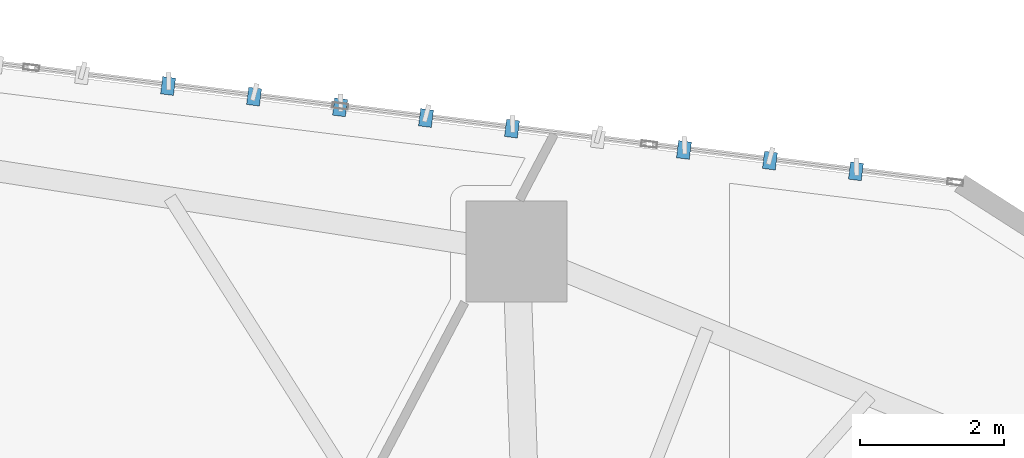
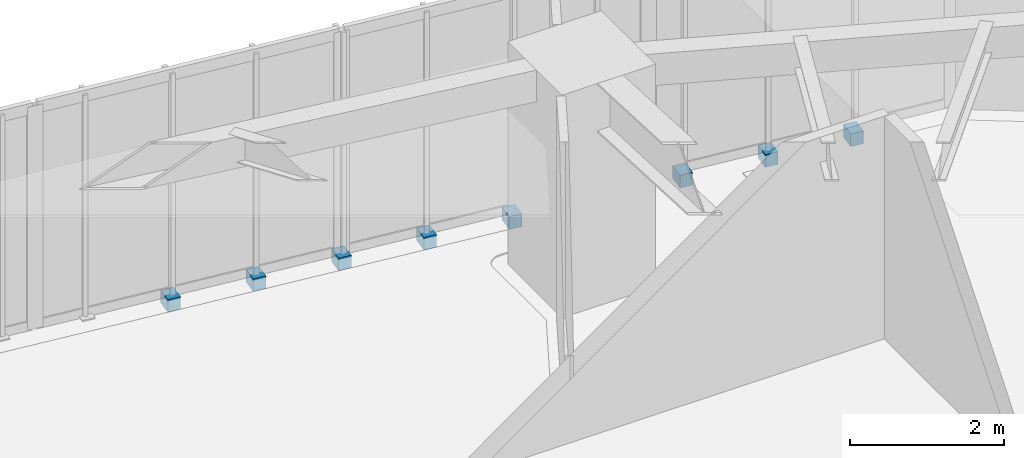
# One storey, part 20 of 23: 8 discrete accessories.
"""IFC4 building model written with IfcOpenShell, lengths in metres."""

from ifc_helpers import new_model, si_unit, direction, frame, origin, origin_2d, place, context, subcontext, project, spatial, rectangle, extrude, source, transform, mapped, material, type_object, type_shapes, element, save


model = new_model("IFC4")

# Units and contexts
model_context = context("Model", 3, precision=1e-05, world=origin(), true_north=direction((0.0, 1.0)))
body_context = subcontext(model_context, "Body", "Model", "MODEL_VIEW")
ifc_project = project(units=[si_unit("LENGTHUNIT", "METRE"), si_unit("AREAUNIT", "SQUARE_METRE"), si_unit("VOLUMEUNIT", "CUBIC_METRE"), si_unit("PLANEANGLEUNIT", "RADIAN"), si_unit("MASSUNIT", "GRAM", prefix="KILO")], contexts=[model_context])

# Site, building, storey
site_placement = place(None, origin())
site = spatial("IfcSite", under=ifc_project, at=site_placement, CompositionType="ELEMENT")
building_placement = place(site_placement, origin())
building = spatial("IfcBuilding", under=site, at=building_placement, Name="Talar Marvaseh", CompositionType="ELEMENT")
storey_placement = place(building_placement, frame((0.0, 0.0, 69.60009765625)))
storey = spatial("IfcBuildingStorey", under=building, at=storey_placement, Name="L17", CompositionType="ELEMENT", Elevation=69.60009765625)

# Discrete accessories
ifc_material = material(Name="Stainless Steel Grade 316", Category="steel")
discrete_accessory_type = type_object("IfcDiscreteAccessoryType", Name="Stainless Slab-Edge Fin Mounting Bracket", PredefinedType="BRACKET", material=ifc_material)
shared_shape = source(origin(), body_context, "Body", "SweptSolid", [
    extrude(rectangle(XDim=0.239990234375, YDim=0.179931640625, at=origin_2d()), origin(), (0.0, 0.0, 1.0), 0.199951171875),
])
type_shapes(discrete_accessory_type, [shared_shape])
for number, where, z_axis, x_axis, name in (
    (1, (28.22265625, 46.408447265625, -0.18017578125), (0.0, 0.0, 1.0), (0.123081876034, 0.992396519438, 0.0), "L17 Vertical Fin Slab-Edge Bracket"),
    (2, (29.41357421875, 46.2607421875, -0.18017578125), (0.0, 0.0, 1.0), (0.123081876034, 0.992396519438, 0.0), "L17 Vertical Fin Slab-Edge Bracket"),
    (3, (30.6044921875, 46.113037109375, -0.18017578125), (0.0, 0.0, 1.0), (0.123081876034, 0.992396519438, 0.0), "L17 Vertical Fin Slab-Edge Bracket"),
    (4, (31.79541015625, 45.96533203125, -0.18017578125), (0.0, 0.0, 1.0), (0.123081876034, 0.992396519438, 0.0), "L17 Vertical Fin Slab-Edge Bracket"),
    (5, (32.986083984375, 45.817626953125, -0.18017578125), (0.0, 0.0, 1.0), (0.123081876034, 0.992396519438, 0.0), "L17 Vertical Fin Slab-Edge Bracket"),
    (6, (35.367919921875, 45.5224609375, -0.18017578125), (0.0, 0.0, 1.0), (0.123081876034, 0.992396519438, 0.0), "L17 Vertical Fin Slab-Edge Bracket"),
    (7, (36.558837890625, 45.374755859375, -0.18017578125), (0.0, 0.0, 1.0), (0.123081876034, 0.992396519438, 0.0), "L17 Vertical Fin Slab-Edge Bracket"),
    (8, (37.749755859375, 45.22705078125, -0.18017578125), (0.0, 0.0, 1.0), (0.123081876034, 0.992396519438, 0.0), "L17 Vertical Fin Slab-Edge Bracket"),
):
    element("IfcDiscreteAccessory", number, at=place(storey_placement, frame(where, z_axis=z_axis, x_axis=x_axis)), inside=storey, type_object=discrete_accessory_type, Name=name, PredefinedType="BRACKET", context=body_context, shape_type="MappedRepresentation", body=[
        mapped(shared_shape, transform((0.0, 0.0, 0.0), x_axis=(1.0, 0.0, 0.0), y_axis=(0.0, 1.0, 0.0), z_axis=(0.0, 0.0, 1.0), scale=1.0)),
    ])

save(model, "model.ifc")
